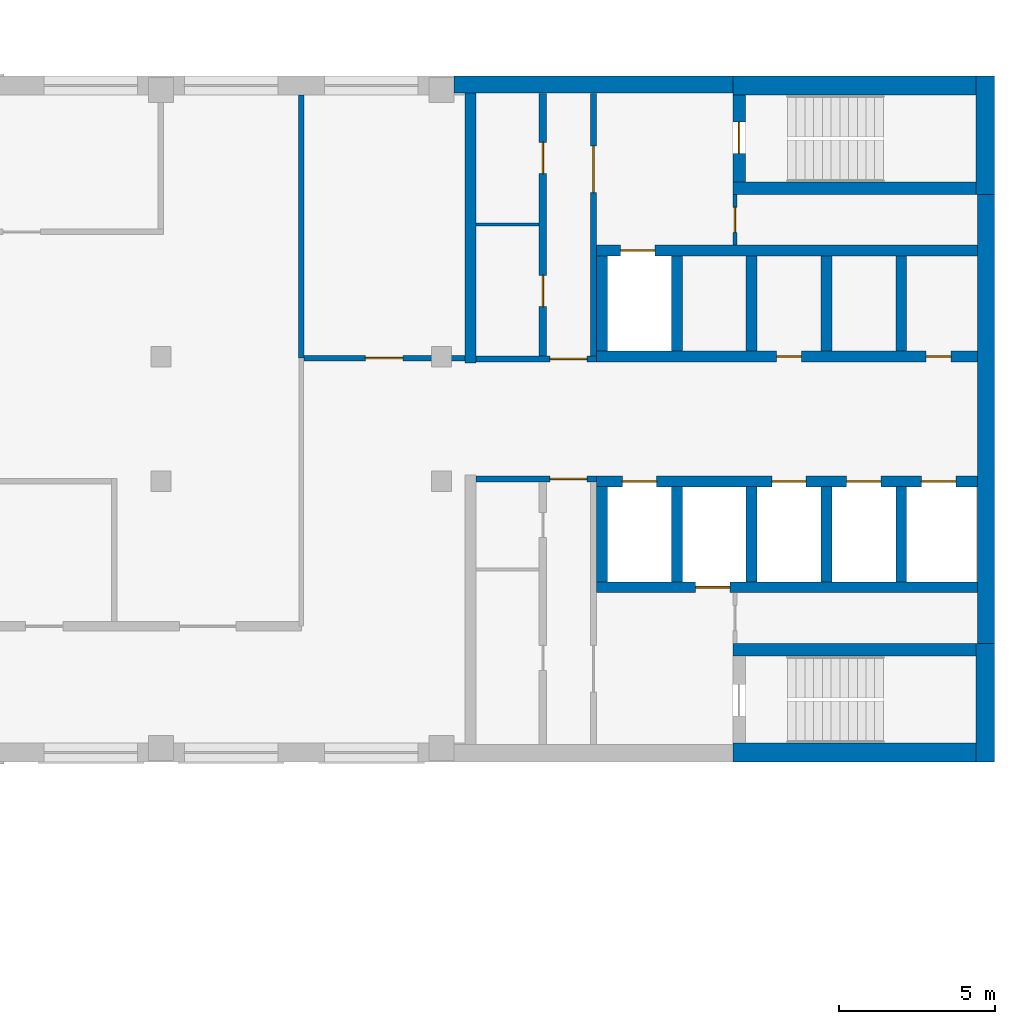
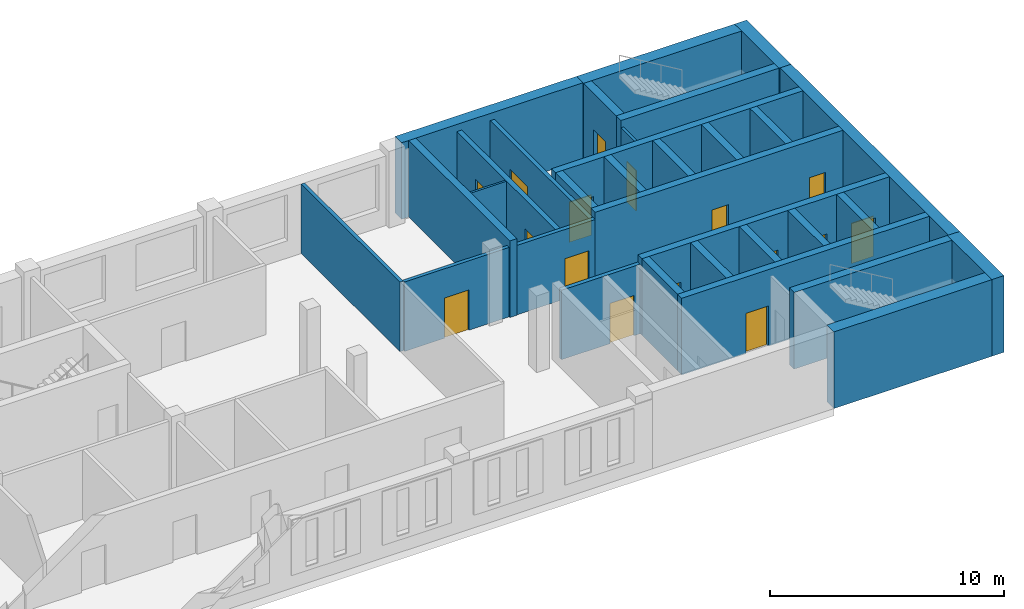
# One storey, part 6 of 10: 32 walls, 16 doors, 16 openings.
"""IFC4 building model written with IfcOpenShell, lengths in metres."""

from ifc_helpers import new_model, si_unit, direction, frame, frame_2d, origin, place, context, subcontext, project, spatial, rectangle, extrude, material, layer, layer_set, type_object, element, fill, save


model = new_model("IFC4")

# Units and contexts
model_context = context("Model", 3, precision=1e-05, world=origin(), true_north=direction((0.0, 1.0)))
body_context = subcontext(model_context, "Body", "Model", "MODEL_VIEW")
ifc_project = project(units=[si_unit("LENGTHUNIT", "METRE"), si_unit("AREAUNIT", "SQUARE_METRE"), si_unit("VOLUMEUNIT", "CUBIC_METRE"), si_unit("PLANEANGLEUNIT", "RADIAN"), si_unit("MASSUNIT", "GRAM", prefix="KILO")], contexts=[model_context])

# Site, building, storey
site_placement = place(None, origin())
site = spatial("IfcSite", under=ifc_project, at=site_placement, CompositionType="ELEMENT")
building_placement = place(site_placement, origin())
building = spatial("IfcBuilding", under=site, at=building_placement, Name="Skarvind Civic Tower", CompositionType="ELEMENT")
storey_placement = place(building_placement, frame((0.0, 0.0, 154.5)))
storey = spatial("IfcBuildingStorey", under=building, at=storey_placement, Name="L36", CompositionType="ELEMENT", Elevation=154.5)

# Wall
ifc_material_1 = material(Name="Acoustic gypsum board on steel studs", Category="steel")
ifc_layer_1 = layer(ifc_material_1, 0.175048828125)
ifc_layer_set_1 = layer_set([ifc_layer_1], Name="ACOUSTIC MEETING-ROOM PARTITION 175")
wall_type_1 = type_object("IfcWallType", Name="ACOUSTIC MEETING-ROOM PARTITION 175", PredefinedType="PARTITIONING", material=ifc_layer_set_1)
wall_1_placement = place(storey_placement, frame((85.75, 129.949951171875, 0.0), z_axis=(0.0, 0.0, 1.0), x_axis=(0.0, 1.0, 0.0)))
element("IfcWall", 1, at=wall_1_placement, inside=storey, type_object=wall_type_1, Name="Partition 36.048", PredefinedType="PARTITIONING", context=body_context, shape_type="SweptSolid", body=[
    extrude(rectangle(XDim=8.449951171875, YDim=0.175048828125, at=frame_2d((4.22509765625, 0.0))), origin(), (0.0, 0.0, 1.0), 3.625),
])

# Wall, opening, door
wall_2_placement = place(storey_placement, frame((85.837890625, 129.949951171875, 0.0), z_axis=(0.0, 0.0, 1.0), x_axis=(1.0, 0.0, 0.0)))
wall_2 = element("IfcWall", 2, at=wall_2_placement, inside=storey, type_object=wall_type_1, Name="Partition 36.049", PredefinedType="PARTITIONING", context=body_context, shape_type="SweptSolid", body=[
    extrude(rectangle(XDim=5.162109375, YDim=0.175048828125, at=frame_2d((2.5810546875, 0.0))), origin(), (0.0, 0.0, 1.0), 3.625),
])
opening_1_placement = place(wall_2_placement, frame((1.970947265625, 0.0, 0.0)))
opening_1 = element("IfcOpeningElement", 3, at=opening_1_placement, cuts=wall_2, Name="Opening L36-D001", PredefinedType="OPENING", context=body_context, shape_type="SweptSolid", body=[
    extrude(rectangle(XDim=1.199951171875, YDim=2.10009765625, at=frame_2d((0.60009765625, 1.050048828125))), frame((0.0, 0.097412109375, 0.0), z_axis=(0.0, -1.0, 0.0), x_axis=(1.0, 0.0, 0.0)), (0.0, 0.0, 1.0), 0.195068359375),
])
ifc_material_2 = material(Name="Timber door leaf", Category="wood")
door_type_1 = type_object("IfcDoorType", Name="DOOR 1200X2100 DOUBLE TIMBER", OperationType="NOTDEFINED", PredefinedType="DOOR", material=ifc_material_2)
door_1_placement = place(opening_1_placement, origin())
door_1 = element("IfcDoor", 4, at=door_1_placement, inside=storey, type_object=door_type_1, Name="Door L36-D001", OperationType="DOUBLE_DOOR_SINGLE_SWING", OverallHeight=2.10009765625, OverallWidth=1.199951171875, PredefinedType="DOOR", context=body_context, shape_type="SweptSolid", body=[
    extrude(rectangle(XDim=1.199951171875, YDim=2.10009765625, at=frame_2d((0.60009765625, 1.050048828125))), frame((0.0, 0.02490234375, 0.0), z_axis=(0.0, -1.0, 0.0), x_axis=(1.0, 0.0, 0.0)), (0.0, 0.0, 1.0), 0.050048828125),
])
fill(opening_1, door_1)

ifc_material_3 = material(Name="Fire-rated masonry partition", Category="masonry")
ifc_layer_2 = layer(ifc_material_3, 0.199951171875)
ifc_layer_set_2 = layer_set([ifc_layer_2], Name="Core enclosure wall 200")
wall_type_2 = type_object("IfcWallType", Name="Core enclosure wall 200", PredefinedType="PARTITIONING", material=ifc_layer_set_2)
wall_3_placement = place(storey_placement, frame((95.22509765625, 126.074951171875, 0.0), z_axis=(0.0, 0.0, 1.0), x_axis=(-1.0, 0.0, 0.0)))
wall_3 = element("IfcWall", 5, at=wall_3_placement, inside=storey, type_object=wall_type_2, Name="Core wall C1", PredefinedType="PARTITIONING", context=body_context, shape_type="SweptSolid", body=[
    extrude(rectangle(XDim=3.875, YDim=0.199951171875, at=frame_2d((1.9375, 0.0))), origin(), (0.0, 0.0, 1.0), 3.625),
])
opening_2_placement = place(wall_3_placement, frame((0.300048828125, 0.0, 0.0)))
opening_2 = element("IfcOpeningElement", 6, at=opening_2_placement, cuts=wall_3, Name="Opening D-L36-C1-07", PredefinedType="OPENING", context=body_context, shape_type="SweptSolid", body=[
    extrude(rectangle(XDim=1.199951171875, YDim=2.10009765625, at=frame_2d((0.60009765625, 1.050048828125))), frame((0.0, 0.10986328125, 0.0), z_axis=(0.0, -1.0, 0.0), x_axis=(1.0, 0.0, 0.0)), (0.0, 0.0, 1.0), 0.219970703125),
])
ifc_material_4 = material(Name="Fire-rated steel door", Category="steel")
door_type_2 = type_object("IfcDoorType", Name="Core lobby door 1200", OperationType="NOTDEFINED", PredefinedType="DOOR", material=ifc_material_4)
door_2_placement = place(opening_2_placement, origin())
door_2 = element("IfcDoor", 7, at=door_2_placement, inside=storey, type_object=door_type_2, Name="Fire door", OperationType="DOUBLE_DOOR_SINGLE_SWING", OverallHeight=2.10009765625, OverallWidth=1.199951171875, PredefinedType="DOOR", context=body_context, shape_type="SweptSolid", body=[
    extrude(rectangle(XDim=1.199951171875, YDim=2.10009765625, at=frame_2d((0.60009765625, 1.050048828125))), frame((0.0, 0.02490234375, 0.0), z_axis=(0.0, -1.0, 0.0), x_axis=(1.0, 0.0, 0.0)), (0.0, 0.0, 1.0), 0.050048828125),
])
fill(opening_2, door_2)

wall_4_placement = place(storey_placement, frame((91.35009765625, 129.925048828125, 0.0), z_axis=(0.0, 0.0, 1.0), x_axis=(1.0, 0.0, 0.0)))
wall_4 = element("IfcWall", 8, at=wall_4_placement, inside=storey, type_object=wall_type_2, Name="Core wall C1", PredefinedType="PARTITIONING", context=body_context, shape_type="SweptSolid", body=[
    extrude(rectangle(XDim=3.875, YDim=0.199951171875, at=frame_2d((1.9375, 0.0))), origin(), (0.0, 0.0, 1.0), 3.625),
])
opening_3_placement = place(wall_4_placement, frame((2.375, 0.0, 0.0)))
opening_3 = element("IfcOpeningElement", 9, at=opening_3_placement, cuts=wall_4, Name="Opening D-L36-C1-13", PredefinedType="OPENING", context=body_context, shape_type="SweptSolid", body=[
    extrude(rectangle(XDim=1.199951171875, YDim=2.10009765625, at=frame_2d((0.60009765625, 1.050048828125))), frame((0.0, 0.10986328125, 0.0), z_axis=(0.0, -1.0, 0.0), x_axis=(1.0, 0.0, 0.0)), (0.0, 0.0, 1.0), 0.219970703125),
])
door_3_placement = place(opening_3_placement, origin())
door_3 = element("IfcDoor", 10, at=door_3_placement, inside=storey, type_object=door_type_2, Name="Fire door", OperationType="DOUBLE_DOOR_SINGLE_SWING", OverallHeight=2.10009765625, OverallWidth=1.199951171875, PredefinedType="DOOR", context=body_context, shape_type="SweptSolid", body=[
    extrude(rectangle(XDim=1.199951171875, YDim=2.10009765625, at=frame_2d((0.60009765625, 1.050048828125))), frame((0.0, 0.02490234375, 0.0), z_axis=(0.0, -1.0, 0.0), x_axis=(1.0, 0.0, 0.0)), (0.0, 0.0, 1.0), 0.050048828125),
])
fill(opening_3, door_3)

wall_5_placement = place(storey_placement, frame((95.125, 130.02490234375, 0.0), z_axis=(0.0, 0.0, 1.0), x_axis=(0.0, 1.0, 0.0)))
wall_5 = element("IfcWall", 11, at=wall_5_placement, inside=storey, type_object=wall_type_2, Name="Core wall C1", PredefinedType="PARTITIONING", context=body_context, shape_type="SweptSolid", body=[
    extrude(rectangle(XDim=8.425048828125, YDim=0.199951171875, at=frame_2d((4.21240234375, 0.0))), origin(), (0.0, 0.0, 1.0), 3.625),
])
opening_4_placement = place(wall_5_placement, frame((5.237548828125, 0.0, 0.0)))
opening_4 = element("IfcOpeningElement", 12, at=opening_4_placement, cuts=wall_5, Name="Opening D-L36-C1-14", PredefinedType="OPENING", context=body_context, shape_type="SweptSolid", body=[
    extrude(rectangle(XDim=1.5, YDim=2.10009765625, at=frame_2d((0.75, 1.050048828125))), frame((0.0, 0.10986328125, 0.0), z_axis=(0.0, -1.0, 0.0), x_axis=(1.0, 0.0, 0.0)), (0.0, 0.0, 1.0), 0.219970703125),
])
door_type_3 = type_object("IfcDoorType", Name="Fire door 1500", OperationType="NOTDEFINED", PredefinedType="DOOR", material=ifc_material_4)
door_4_placement = place(opening_4_placement, origin())
door_4 = element("IfcDoor", 13, at=door_4_placement, inside=storey, type_object=door_type_3, Name="Fire door", OperationType="DOUBLE_DOOR_SINGLE_SWING", OverallHeight=2.10009765625, OverallWidth=1.5, PredefinedType="DOOR", context=body_context, shape_type="SweptSolid", body=[
    extrude(rectangle(XDim=1.5, YDim=2.10009765625, at=frame_2d((0.75, 1.050048828125))), frame((0.0, 0.02490234375, 0.0), z_axis=(0.0, -1.0, 0.0), x_axis=(1.0, 0.0, 0.0)), (0.0, 0.0, 1.0), 0.050048828125),
])
fill(opening_4, door_4)

# Wall
ifc_material_5 = material(Name="Fire-rated plasterboard partition")
ifc_layer_3 = layer(ifc_material_5, 0.10009765625)
ifc_layer_set_3 = layer_set([ifc_layer_3], Name="Core partition wall 100")
wall_type_3 = type_object("IfcWallType", Name="Core partition wall 100", PredefinedType="PARTITIONING", material=ifc_layer_set_3)
wall_6_placement = place(storey_placement, frame((91.35009765625, 134.239990234375, 0.0), z_axis=(0.0, 0.0, 1.0), x_axis=(1.0, 0.0, 0.0)))
element("IfcWall", 14, at=wall_6_placement, inside=storey, type_object=wall_type_3, Name="Core wall C1", PredefinedType="PARTITIONING", context=body_context, shape_type="SweptSolid", body=[
    extrude(rectangle(XDim=2.02490234375, YDim=0.10009765625, at=frame_2d((1.012451171875, 0.0))), origin(), (0.0, 0.0, 1.0), 3.625),
])

# Wall, openings, doors
ifc_material_6 = material(Name="Concrete C60", Category="concrete")
ifc_layer_4 = layer(ifc_material_6, 0.35009765625)
ifc_layer_set_4 = layer_set([ifc_layer_4], Name="Core wall 350 C60")
wall_type_4 = type_object("IfcWallType", Name="Core wall 350 C60", PredefinedType="SHEAR", material=ifc_layer_set_4)
wall_7_placement = place(storey_placement, frame((107.449951171875, 130.0, 0.0), z_axis=(0.0, 0.0, 1.0), x_axis=(-1.0, 0.0, 0.0)))
wall_7 = element("IfcWall", 15, at=wall_7_placement, inside=storey, type_object=wall_type_4, Name="Core wall C1 south lift row front L36", PredefinedType="SHEAR", context=body_context, shape_type="SweptSolid", body=[
    extrude(rectangle(XDim=12.224853515625, YDim=0.35009765625, at=frame_2d((6.1123046875, 0.0))), origin(), (0.0, 0.0, 1.0), 4.0),
])
opening_5_placement = place(wall_7_placement, frame((0.85009765625, 0.0, 0.0)))
opening_5 = element("IfcOpeningElement", 16, at=opening_5_placement, cuts=wall_7, Name="Opening D-L36-C1-05", PredefinedType="OPENING", context=body_context, shape_type="SweptSolid", body=[
    extrude(rectangle(XDim=0.800048828125, YDim=2.10009765625, at=frame_2d((0.39990234375, 1.050048828125))), frame((0.0, 0.18505859375, 0.0), z_axis=(0.0, -1.0, 0.0), x_axis=(1.0, 0.0, 0.0)), (0.0, 0.0, 1.0), 0.3701171875),
])
opening_6_placement = place(wall_7_placement, frame((5.64990234375, 0.0, 0.0)))
opening_6 = element("IfcOpeningElement", 17, at=opening_6_placement, cuts=wall_7, Name="Opening D-L36-C1-06", PredefinedType="OPENING", context=body_context, shape_type="SweptSolid", body=[
    extrude(rectangle(XDim=0.800048828125, YDim=2.10009765625, at=frame_2d((0.39990234375, 1.050048828125))), frame((0.0, 0.18505859375, 0.0), z_axis=(0.0, -1.0, 0.0), x_axis=(1.0, 0.0, 0.0)), (0.0, 0.0, 1.0), 0.3701171875),
])
door_type_4 = type_object("IfcDoorType", Name="Core riser door 800", OperationType="NOTDEFINED", PredefinedType="DOOR", material=ifc_material_4)
door_5_placement = place(opening_5_placement, origin())
door_5 = element("IfcDoor", 18, at=door_5_placement, inside=storey, type_object=door_type_4, Name="Riser door", OperationType="SINGLE_SWING_LEFT", OverallHeight=2.10009765625, OverallWidth=0.800048828125, PredefinedType="DOOR", context=body_context, shape_type="SweptSolid", body=[
    extrude(rectangle(XDim=0.800048828125, YDim=2.10009765625, at=frame_2d((0.39990234375, 1.050048828125))), frame((0.0, 0.02490234375, 0.0), z_axis=(0.0, -1.0, 0.0), x_axis=(1.0, 0.0, 0.0)), (0.0, 0.0, 1.0), 0.050048828125),
])
fill(opening_5, door_5)
door_6_placement = place(opening_6_placement, origin())
door_6 = element("IfcDoor", 19, at=door_6_placement, inside=storey, type_object=door_type_4, Name="Riser door", OperationType="SINGLE_SWING_RIGHT", OverallHeight=2.10009765625, OverallWidth=0.800048828125, PredefinedType="DOOR", context=body_context, shape_type="SweptSolid", body=[
    extrude(rectangle(XDim=0.800048828125, YDim=2.10009765625, at=frame_2d((0.39990234375, 1.050048828125))), frame((0.0, 0.02490234375, 0.0), z_axis=(0.0, -1.0, 0.0), x_axis=(1.0, 0.0, 0.0)), (0.0, 0.0, 1.0), 0.050048828125),
])
fill(opening_6, door_6)

# Wall, opening, door
wall_8_placement = place(storey_placement, frame((107.449951171875, 133.39990234375, 0.0), z_axis=(0.0, 0.0, 1.0), x_axis=(-1.0, 0.0, 0.0)))
wall_8 = element("IfcWall", 20, at=wall_8_placement, inside=storey, type_object=wall_type_4, Name="Core wall C1 south lift row back L36", PredefinedType="SHEAR", context=body_context, shape_type="SweptSolid", body=[
    extrude(rectangle(XDim=12.224853515625, YDim=0.35009765625, at=frame_2d((6.1123046875, 0.0))), origin(), (0.0, 0.0, 1.0), 4.0),
])
opening_7_placement = place(wall_8_placement, frame((10.35009765625, 0.0, 0.0)))
opening_7 = element("IfcOpeningElement", 21, at=opening_7_placement, cuts=wall_8, Name="Opening LD38110", PredefinedType="OPENING", context=body_context, shape_type="SweptSolid", body=[
    extrude(rectangle(XDim=1.10009765625, YDim=2.10009765625, at=frame_2d((0.550048828125, 1.050048828125))), frame((0.0, 0.18505859375, 0.0), z_axis=(0.0, -1.0, 0.0), x_axis=(1.0, 0.0, 0.0)), (0.0, 0.0, 1.0), 0.3701171875),
])
ifc_material_7 = material(Name="Stainless steel landing door", Category="steel")
door_type_5 = type_object("IfcDoorType", Name="Lift landing door 1100", OperationType="DOUBLE_DOOR_SLIDING", PredefinedType="DOOR", material=ifc_material_7)
door_7_placement = place(opening_7_placement, origin())
door_7 = element("IfcDoor", 22, at=door_7_placement, inside=storey, type_object=door_type_5, Name="Lift landing door", OperationType="DOUBLE_DOOR_SLIDING", OverallHeight=2.10009765625, OverallWidth=1.10009765625, PredefinedType="DOOR", context=body_context, shape_type="SweptSolid", body=[
    extrude(rectangle(XDim=1.10009765625, YDim=2.10009765625, at=frame_2d((0.550048828125, 1.050048828125))), frame((0.0, 0.02490234375, 0.0), z_axis=(0.0, -1.0, 0.0), x_axis=(1.0, 0.0, 0.0)), (0.0, 0.0, 1.0), 0.050048828125),
])
fill(opening_7, door_7)

# Walls
for number, where, z_axis, x_axis, name in (
    (23, (105.0, 133.22509765625, 0.0), (0.0, 0.0, 1.0), (0.0, -1.0, 0.0), "Core wall C1 south lift row division 1 L36"),
    (24, (102.60009765625, 133.22509765625, 0.0), (0.0, 0.0, 1.0), (0.0, -1.0, 0.0), "Core wall C1 south lift row division 2 L36"),
    (25, (100.199951171875, 133.22509765625, 0.0), (0.0, 0.0, 1.0), (0.0, -1.0, 0.0), "Core wall C1 south lift row division 3 L36"),
    (26, (97.800048828125, 133.22509765625, 0.0), (0.0, 0.0, 1.0), (0.0, -1.0, 0.0), "Core wall C1 south lift row division 4 L36"),
    (27, (95.39990234375, 133.22509765625, 0.0), (0.0, 0.0, 1.0), (0.0, -1.0, 0.0), "Core wall C1 south lift row division 5 L36"),
):
    element("IfcWall", number, at=place(storey_placement, frame(where, z_axis=z_axis, x_axis=x_axis)), inside=storey, type_object=wall_type_4, Name=name, PredefinedType="SHEAR", context=body_context, shape_type="SweptSolid", body=[
        extrude(rectangle(XDim=3.050048828125, YDim=0.35009765625, at=frame_2d((1.52490234375, 0.0))), origin(), (0.0, 0.0, 1.0), 4.0),
    ])

# Wall, openings, doors
wall_9_placement = place(storey_placement, frame((107.449951171875, 126.0, 0.0), z_axis=(0.0, 0.0, 1.0), x_axis=(-1.0, 0.0, 0.0)))
wall_9 = element("IfcWall", 28, at=wall_9_placement, inside=storey, type_object=wall_type_4, Name="Core wall C1 north lift row front L36", PredefinedType="SHEAR", context=body_context, shape_type="SweptSolid", body=[
    extrude(rectangle(XDim=12.224853515625, YDim=0.35009765625, at=frame_2d((6.1123046875, 0.0))), origin(), (0.0, 0.0, 1.0), 4.0),
])
opening_8_placement = place(wall_9_placement, frame((0.699951171875, 0.0, 0.0)))
opening_8 = element("IfcOpeningElement", 29, at=opening_8_placement, cuts=wall_9, Name="Opening LD38101", PredefinedType="OPENING", context=body_context, shape_type="SweptSolid", body=[
    extrude(rectangle(XDim=1.10009765625, YDim=2.10009765625, at=frame_2d((0.550048828125, 1.050048828125))), frame((0.0, 0.18505859375, 0.0), z_axis=(0.0, -1.0, 0.0), x_axis=(1.0, 0.0, 0.0)), (0.0, 0.0, 1.0), 0.3701171875),
])
opening_9_placement = place(wall_9_placement, frame((3.10009765625, 0.0, 0.0)))
opening_9 = element("IfcOpeningElement", 30, at=opening_9_placement, cuts=wall_9, Name="Opening LD38102", PredefinedType="OPENING", context=body_context, shape_type="SweptSolid", body=[
    extrude(rectangle(XDim=1.10009765625, YDim=2.10009765625, at=frame_2d((0.550048828125, 1.050048828125))), frame((0.0, 0.18505859375, 0.0), z_axis=(0.0, -1.0, 0.0), x_axis=(1.0, 0.0, 0.0)), (0.0, 0.0, 1.0), 0.3701171875),
])
opening_10_placement = place(wall_9_placement, frame((5.5, 0.0, 0.0)))
opening_10 = element("IfcOpeningElement", 31, at=opening_10_placement, cuts=wall_9, Name="Opening LD38103", PredefinedType="OPENING", context=body_context, shape_type="SweptSolid", body=[
    extrude(rectangle(XDim=1.10009765625, YDim=2.10009765625, at=frame_2d((0.550048828125, 1.050048828125))), frame((0.0, 0.18505859375, 0.0), z_axis=(0.0, -1.0, 0.0), x_axis=(1.0, 0.0, 0.0)), (0.0, 0.0, 1.0), 0.3701171875),
])
opening_11_placement = place(wall_9_placement, frame((10.300048828125, 0.0, 0.0)))
opening_11 = element("IfcOpeningElement", 32, at=opening_11_placement, cuts=wall_9, Name="Opening LD38105", PredefinedType="OPENING", context=body_context, shape_type="SweptSolid", body=[
    extrude(rectangle(XDim=1.10009765625, YDim=2.10009765625, at=frame_2d((0.550048828125, 1.050048828125))), frame((0.0, 0.18505859375, 0.0), z_axis=(0.0, -1.0, 0.0), x_axis=(1.0, 0.0, 0.0)), (0.0, 0.0, 1.0), 0.3701171875),
])
door_8_placement = place(opening_8_placement, origin())
door_8 = element("IfcDoor", 33, at=door_8_placement, inside=storey, type_object=door_type_5, Name="Lift landing door", OperationType="DOUBLE_DOOR_SLIDING", OverallHeight=2.10009765625, OverallWidth=1.10009765625, PredefinedType="DOOR", context=body_context, shape_type="SweptSolid", body=[
    extrude(rectangle(XDim=1.10009765625, YDim=2.10009765625, at=frame_2d((0.550048828125, 1.050048828125))), frame((0.0, 0.02490234375, 0.0), z_axis=(0.0, -1.0, 0.0), x_axis=(1.0, 0.0, 0.0)), (0.0, 0.0, 1.0), 0.050048828125),
])
fill(opening_8, door_8)
door_9_placement = place(opening_9_placement, origin())
door_9 = element("IfcDoor", 34, at=door_9_placement, inside=storey, type_object=door_type_5, Name="Lift landing door", OperationType="DOUBLE_DOOR_SLIDING", OverallHeight=2.10009765625, OverallWidth=1.10009765625, PredefinedType="DOOR", context=body_context, shape_type="SweptSolid", body=[
    extrude(rectangle(XDim=1.10009765625, YDim=2.10009765625, at=frame_2d((0.550048828125, 1.050048828125))), frame((0.0, 0.02490234375, 0.0), z_axis=(0.0, -1.0, 0.0), x_axis=(1.0, 0.0, 0.0)), (0.0, 0.0, 1.0), 0.050048828125),
])
fill(opening_9, door_9)
door_10_placement = place(opening_10_placement, origin())
door_10 = element("IfcDoor", 35, at=door_10_placement, inside=storey, type_object=door_type_5, Name="Lift landing door", OperationType="DOUBLE_DOOR_SLIDING", OverallHeight=2.10009765625, OverallWidth=1.10009765625, PredefinedType="DOOR", context=body_context, shape_type="SweptSolid", body=[
    extrude(rectangle(XDim=1.10009765625, YDim=2.10009765625, at=frame_2d((0.550048828125, 1.050048828125))), frame((0.0, 0.02490234375, 0.0), z_axis=(0.0, -1.0, 0.0), x_axis=(1.0, 0.0, 0.0)), (0.0, 0.0, 1.0), 0.050048828125),
])
fill(opening_10, door_10)
door_11_placement = place(opening_11_placement, origin())
door_11 = element("IfcDoor", 36, at=door_11_placement, inside=storey, type_object=door_type_5, Name="Lift landing door", OperationType="DOUBLE_DOOR_SLIDING", OverallHeight=2.10009765625, OverallWidth=1.10009765625, PredefinedType="DOOR", context=body_context, shape_type="SweptSolid", body=[
    extrude(rectangle(XDim=1.10009765625, YDim=2.10009765625, at=frame_2d((0.550048828125, 1.050048828125))), frame((0.0, 0.02490234375, 0.0), z_axis=(0.0, -1.0, 0.0), x_axis=(1.0, 0.0, 0.0)), (0.0, 0.0, 1.0), 0.050048828125),
])
fill(opening_11, door_11)

# Wall, opening, door
wall_10_placement = place(storey_placement, frame((107.449951171875, 122.60009765625, 0.0), z_axis=(0.0, 0.0, 1.0), x_axis=(-1.0, 0.0, 0.0)))
wall_10 = element("IfcWall", 37, at=wall_10_placement, inside=storey, type_object=wall_type_4, Name="Core wall C1 north lift row back L36", PredefinedType="SHEAR", context=body_context, shape_type="SweptSolid", body=[
    extrude(rectangle(XDim=12.224853515625, YDim=0.35009765625, at=frame_2d((6.1123046875, 0.0))), origin(), (0.0, 0.0, 1.0), 4.0),
])
opening_12_placement = place(wall_10_placement, frame((7.949951171875, 0.0, 0.0)))
opening_12 = element("IfcOpeningElement", 38, at=opening_12_placement, cuts=wall_10, Name="Opening LD38104", PredefinedType="OPENING", context=body_context, shape_type="SweptSolid", body=[
    extrude(rectangle(XDim=1.10009765625, YDim=2.10009765625, at=frame_2d((0.550048828125, 1.050048828125))), frame((0.0, 0.18505859375, 0.0), z_axis=(0.0, -1.0, 0.0), x_axis=(1.0, 0.0, 0.0)), (0.0, 0.0, 1.0), 0.3701171875),
])
door_12_placement = place(opening_12_placement, origin())
door_12 = element("IfcDoor", 39, at=door_12_placement, inside=storey, type_object=door_type_5, Name="Lift landing door", OperationType="DOUBLE_DOOR_SLIDING", OverallHeight=2.10009765625, OverallWidth=1.10009765625, PredefinedType="DOOR", context=body_context, shape_type="SweptSolid", body=[
    extrude(rectangle(XDim=1.10009765625, YDim=2.10009765625, at=frame_2d((0.550048828125, 1.050048828125))), frame((0.0, 0.02490234375, 0.0), z_axis=(0.0, -1.0, 0.0), x_axis=(1.0, 0.0, 0.0)), (0.0, 0.0, 1.0), 0.050048828125),
])
fill(opening_12, door_12)

# Walls
for number, where, z_axis, x_axis, name in (
    (40, (105.0, 125.824951171875, 0.0), (0.0, 0.0, 1.0), (0.0, -1.0, 0.0), "Core wall C1 north lift row division 1 L36"),
    (41, (102.60009765625, 125.824951171875, 0.0), (0.0, 0.0, 1.0), (0.0, -1.0, 0.0), "Core wall C1 north lift row division 2 L36"),
    (42, (100.199951171875, 125.824951171875, 0.0), (0.0, 0.0, 1.0), (0.0, -1.0, 0.0), "Core wall C1 north lift row division 3 L36"),
    (43, (97.800048828125, 125.824951171875, 0.0), (0.0, 0.0, 1.0), (0.0, -1.0, 0.0), "Core wall C1 north lift row division 4 L36"),
    (44, (95.39990234375, 125.824951171875, 0.0), (0.0, 0.0, 1.0), (0.0, -1.0, 0.0), "Core wall C1 north lift row division 5 L36"),
):
    element("IfcWall", number, at=place(storey_placement, frame(where, z_axis=z_axis, x_axis=x_axis)), inside=storey, type_object=wall_type_4, Name=name, PredefinedType="SHEAR", context=body_context, shape_type="SweptSolid", body=[
        extrude(rectangle(XDim=3.050048828125, YDim=0.35009765625, at=frame_2d((1.52490234375, 0.0))), origin(), (0.0, 0.0, 1.0), 4.0),
    ])
wall_11_placement = place(storey_placement, frame((91.175048828125, 138.449951171875, 0.0), z_axis=(0.0, 0.0, 1.0), x_axis=(0.0, -1.0, 0.0)))
element("IfcWall", 45, at=wall_11_placement, inside=storey, type_object=wall_type_4, Name="Core wall C1 south inner face L36", PredefinedType="SHEAR", context=body_context, shape_type="SweptSolid", body=[
    extrude(rectangle(XDim=8.64990234375, YDim=0.35009765625, at=frame_2d((4.324951171875, 0.0))), origin(), (0.0, 0.0, 1.0), 4.0),
])
ifc_layer_5 = layer(ifc_material_6, 0.39990234375)
ifc_layer_set_5 = layer_set([ifc_layer_5], Name="Core wall 400 C60")
wall_type_5 = type_object("IfcWallType", Name="Core wall 400 C60", PredefinedType="SHEAR", material=ifc_layer_set_5)
wall_12_placement = place(storey_placement, frame((107.39990234375, 135.39990234375, 0.0), z_axis=(0.0, 0.0, 1.0), x_axis=(-1.0, 0.0, 0.0)))
element("IfcWall", 46, at=wall_12_placement, inside=storey, type_object=wall_type_5, Name="Core wall C1 south stair inner L36", PredefinedType="SHEAR", context=body_context, shape_type="SweptSolid", body=[
    extrude(rectangle(XDim=7.7998046875, YDim=0.39990234375, at=frame_2d((3.89990234375, 0.0))), origin(), (0.0, 0.0, 1.0), 4.0),
])

# Wall, opening, door
wall_13_placement = place(storey_placement, frame((99.800048828125, 138.39990234375, 0.0), z_axis=(0.0, 0.0, 1.0), x_axis=(0.0, -1.0, 0.0)))
wall_13 = element("IfcWall", 47, at=wall_13_placement, inside=storey, type_object=wall_type_5, Name="Core wall C1 south stair end L36", PredefinedType="SHEAR", context=body_context, shape_type="SweptSolid", body=[
    extrude(rectangle(XDim=2.7998046875, YDim=0.39990234375, at=frame_2d((1.39990234375, 0.0))), origin(), (0.0, 0.0, 1.0), 4.0),
])
opening_13_placement = place(wall_13_placement, frame((0.875, 0.0, 0.0)))
opening_13 = element("IfcOpeningElement", 48, at=opening_13_placement, cuts=wall_13, Name="Opening D-L36-C1-15", PredefinedType="OPENING", context=body_context, shape_type="SweptSolid", body=[
    extrude(rectangle(XDim=1.0, YDim=2.10009765625, at=frame_2d((0.5, 1.050048828125))), frame((0.0, 0.2099609375, 0.0), z_axis=(0.0, -1.0, 0.0), x_axis=(1.0, 0.0, 0.0)), (0.0, 0.0, 1.0), 0.419921875),
])
door_type_6 = type_object("IfcDoorType", Name="Fire door 1000", OperationType="NOTDEFINED", PredefinedType="DOOR", material=ifc_material_4)
door_13_placement = place(opening_13_placement, origin())
door_13 = element("IfcDoor", 49, at=door_13_placement, inside=storey, type_object=door_type_6, Name="Fire door", OperationType="SINGLE_SWING_RIGHT", OverallHeight=2.10009765625, OverallWidth=1.0, PredefinedType="DOOR", context=body_context, shape_type="SweptSolid", body=[
    extrude(rectangle(XDim=1.0, YDim=2.10009765625, at=frame_2d((0.5, 1.050048828125))), frame((0.0, 0.02490234375, 0.0), z_axis=(0.0, -1.0, 0.0), x_axis=(1.0, 0.0, 0.0)), (0.0, 0.0, 1.0), 0.050048828125),
])
fill(opening_13, door_13)

# Walls
wall_14_placement = place(storey_placement, frame((107.39990234375, 120.60009765625, 0.0), z_axis=(0.0, 0.0, 1.0), x_axis=(-1.0, 0.0, 0.0)))
element("IfcWall", 50, at=wall_14_placement, inside=storey, type_object=wall_type_5, Name="Core wall C1 north stair inner L36", PredefinedType="SHEAR", context=body_context, shape_type="SweptSolid", body=[
    extrude(rectangle(XDim=7.7998046875, YDim=0.39990234375, at=frame_2d((3.89990234375, 0.0))), origin(), (0.0, 0.0, 1.0), 4.0),
])
ifc_layer_6 = layer(ifc_material_6, 0.550048828125)
ifc_layer_set_6 = layer_set([ifc_layer_6], Name="Core wall 550 C60")
wall_type_6 = type_object("IfcWallType", Name="Core wall 550 C60", PredefinedType="SHEAR", material=ifc_layer_set_6)
wall_15_placement = place(storey_placement, frame((107.72509765625, 135.199951171875, 0.0), z_axis=(0.0, 0.0, 1.0), x_axis=(0.0, -1.0, 0.0)))
element("IfcWall", 51, at=wall_15_placement, inside=storey, type_object=wall_type_6, Name="Core wall C1 tip between the stairs L36", PredefinedType="SHEAR", context=body_context, shape_type="SweptSolid", body=[
    extrude(rectangle(XDim=14.39990234375, YDim=0.550048828125, at=frame_2d((7.199951171875, 0.0))), origin(), (0.0, 0.0, 1.0), 4.0),
])
wall_16_placement = place(storey_placement, frame((99.60009765625, 138.72509765625, 0.0), z_axis=(0.0, 0.0, 1.0), x_axis=(-1.0, 0.0, 0.0)))
element("IfcWall", 52, at=wall_16_placement, inside=storey, type_object=wall_type_6, Name="Core wall C1 south side L36", PredefinedType="SHEAR", context=body_context, shape_type="SweptSolid", body=[
    extrude(rectangle(XDim=8.9501953125, YDim=0.550048828125, at=frame_2d((4.47509765625, 0.0))), origin(), (0.0, 0.0, 1.0), 4.0),
])
ifc_layer_7 = layer(ifc_material_6, 0.60009765625)
ifc_layer_set_7 = layer_set([ifc_layer_7], Name="Core wall 600 C60")
wall_type_7 = type_object("IfcWallType", Name="Core wall 600 C60", PredefinedType="SHEAR", material=ifc_layer_set_7)
for number, where, z_axis, x_axis, name in (
    (53, (107.699951171875, 139.0, 0.0), (0.0, 0.0, 1.0), (0.0, -1.0, 0.0), "Core wall C1 tip at the south stair L36"),
    (54, (107.699951171875, 120.800048828125, 0.0), (0.0, 0.0, 1.0), (0.0, -1.0, 0.0), "Core wall C1 tip at the north stair L36"),
):
    element("IfcWall", number, at=place(storey_placement, frame(where, z_axis=z_axis, x_axis=x_axis)), inside=storey, type_object=wall_type_7, Name=name, PredefinedType="SHEAR", context=body_context, shape_type="SweptSolid", body=[
        extrude(rectangle(XDim=3.800048828125, YDim=0.60009765625, at=frame_2d((1.89990234375, 0.0))), origin(), (0.0, 0.0, 1.0), 4.0),
    ])
for number, where, z_axis, x_axis, name in (
    (55, (107.39990234375, 138.699951171875, 0.0), (0.0, 0.0, 1.0), (-1.0, 0.0, 0.0), "Core wall C1 south side at the stair L36"),
    (56, (107.39990234375, 117.300048828125, 0.0), (0.0, 0.0, 1.0), (-1.0, 0.0, 0.0), "Core wall C1 north side at the stair L36"),
):
    element("IfcWall", number, at=place(storey_placement, frame(where, z_axis=z_axis, x_axis=x_axis)), inside=storey, type_object=wall_type_7, Name=name, PredefinedType="SHEAR", context=body_context, shape_type="SweptSolid", body=[
        extrude(rectangle(XDim=7.7998046875, YDim=0.60009765625, at=frame_2d((3.89990234375, 0.0))), origin(), (0.0, 0.0, 1.0), 4.0),
    ])

# Wall, opening, door
ifc_layer_8 = layer(ifc_material_3, 0.125)
ifc_layer_set_8 = layer_set([ifc_layer_8], Name="Riser wall 125")
wall_type_8 = type_object("IfcWallType", Name="Riser wall 125", PredefinedType="PARTITIONING", material=ifc_layer_set_8)
wall_17_placement = place(storey_placement, frame((99.66259765625, 133.574951171875, 0.0), z_axis=(0.0, 0.0, 1.0), x_axis=(0.0, 1.0, 0.0)))
wall_17 = element("IfcWall", 57, at=wall_17_placement, inside=storey, type_object=wall_type_8, Name="Core wall C1", PredefinedType="PARTITIONING", context=body_context, shape_type="SweptSolid", body=[
    extrude(rectangle(XDim=1.625, YDim=0.125, at=frame_2d((0.8125, 0.0))), origin(), (0.0, 0.0, 1.0), 3.625),
])
opening_14_placement = place(wall_17_placement, frame((0.41259765625, 0.0, 0.0)))
opening_14 = element("IfcOpeningElement", 58, at=opening_14_placement, cuts=wall_17, Name="Opening D-L36-C1-16", PredefinedType="OPENING", context=body_context, shape_type="SweptSolid", body=[
    extrude(rectangle(XDim=0.800048828125, YDim=2.10009765625, at=frame_2d((0.39990234375, 1.050048828125))), frame((0.0, 0.072509765625, 0.0), z_axis=(0.0, -1.0, 0.0), x_axis=(1.0, 0.0, 0.0)), (0.0, 0.0, 1.0), 0.14501953125),
])
door_14_placement = place(opening_14_placement, origin())
door_14 = element("IfcDoor", 59, at=door_14_placement, inside=storey, type_object=door_type_4, Name="Riser door", OperationType="SINGLE_SWING_LEFT", OverallHeight=2.10009765625, OverallWidth=0.800048828125, PredefinedType="DOOR", context=body_context, shape_type="SweptSolid", body=[
    extrude(rectangle(XDim=0.800048828125, YDim=2.10009765625, at=frame_2d((0.39990234375, 1.050048828125))), frame((0.0, 0.02490234375, 0.0), z_axis=(0.0, -1.0, 0.0), x_axis=(1.0, 0.0, 0.0)), (0.0, 0.0, 1.0), 0.050048828125),
])
fill(opening_14, door_14)

# Wall, openings, doors
ifc_layer_9 = layer(ifc_material_3, 0.25)
ifc_layer_set_9 = layer_set([ifc_layer_9], Name="Service block wall 250")
wall_type_9 = type_object("IfcWallType", Name="Service block wall 250", PredefinedType="PARTITIONING", material=ifc_layer_set_9)
wall_18_placement = place(storey_placement, frame((93.5, 130.02490234375, 0.0), z_axis=(0.0, 0.0, 1.0), x_axis=(0.0, 1.0, 0.0)))
wall_18 = element("IfcWall", 60, at=wall_18_placement, inside=storey, type_object=wall_type_9, Name="Core wall C1", PredefinedType="PARTITIONING", context=body_context, shape_type="SweptSolid", body=[
    extrude(rectangle(XDim=8.425048828125, YDim=0.25, at=frame_2d((4.21240234375, 0.0))), origin(), (0.0, 0.0, 1.0), 3.625),
])
opening_15_placement = place(wall_18_placement, frame((1.58251953125, 0.0, 0.0)))
opening_15 = element("IfcOpeningElement", 61, at=opening_15_placement, cuts=wall_18, Name="Opening D-L36-C1-17", PredefinedType="OPENING", context=body_context, shape_type="SweptSolid", body=[
    extrude(rectangle(XDim=1.0, YDim=2.10009765625, at=frame_2d((0.5, 1.050048828125))), frame((0.0, 0.135009765625, 0.0), z_axis=(0.0, -1.0, 0.0), x_axis=(1.0, 0.0, 0.0)), (0.0, 0.0, 1.0), 0.27001953125),
])
opening_16_placement = place(wall_18_placement, frame((5.844970703125, 0.0, 0.0)))
opening_16 = element("IfcOpeningElement", 62, at=opening_16_placement, cuts=wall_18, Name="Opening D-L36-C1-18", PredefinedType="OPENING", context=body_context, shape_type="SweptSolid", body=[
    extrude(rectangle(XDim=1.0, YDim=2.10009765625, at=frame_2d((0.5, 1.050048828125))), frame((0.0, 0.135009765625, 0.0), z_axis=(0.0, -1.0, 0.0), x_axis=(1.0, 0.0, 0.0)), (0.0, 0.0, 1.0), 0.27001953125),
])
door_15_placement = place(opening_15_placement, origin())
door_15 = element("IfcDoor", 63, at=door_15_placement, inside=storey, type_object=door_type_6, Name="Fire door", OperationType="SINGLE_SWING_RIGHT", OverallHeight=2.10009765625, OverallWidth=1.0, PredefinedType="DOOR", context=body_context, shape_type="SweptSolid", body=[
    extrude(rectangle(XDim=1.0, YDim=2.10009765625, at=frame_2d((0.5, 1.050048828125))), frame((0.0, 0.02490234375, 0.0), z_axis=(0.0, -1.0, 0.0), x_axis=(1.0, 0.0, 0.0)), (0.0, 0.0, 1.0), 0.050048828125),
])
fill(opening_15, door_15)
door_16_placement = place(opening_16_placement, origin())
door_16 = element("IfcDoor", 64, at=door_16_placement, inside=storey, type_object=door_type_6, Name="Fire door", OperationType="SINGLE_SWING_LEFT", OverallHeight=2.10009765625, OverallWidth=1.0, PredefinedType="DOOR", context=body_context, shape_type="SweptSolid", body=[
    extrude(rectangle(XDim=1.0, YDim=2.10009765625, at=frame_2d((0.5, 1.050048828125))), frame((0.0, 0.02490234375, 0.0), z_axis=(0.0, -1.0, 0.0), x_axis=(1.0, 0.0, 0.0)), (0.0, 0.0, 1.0), 0.050048828125),
])
fill(opening_16, door_16)

save(model, "model.ifc")
